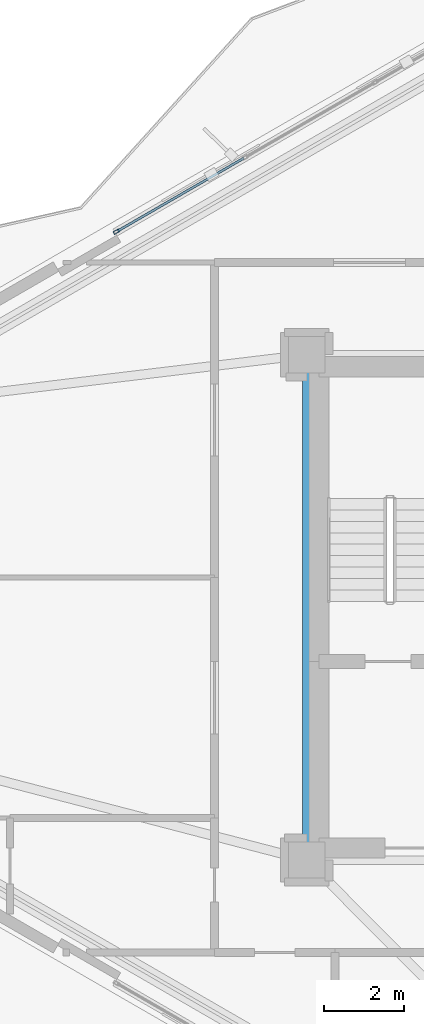
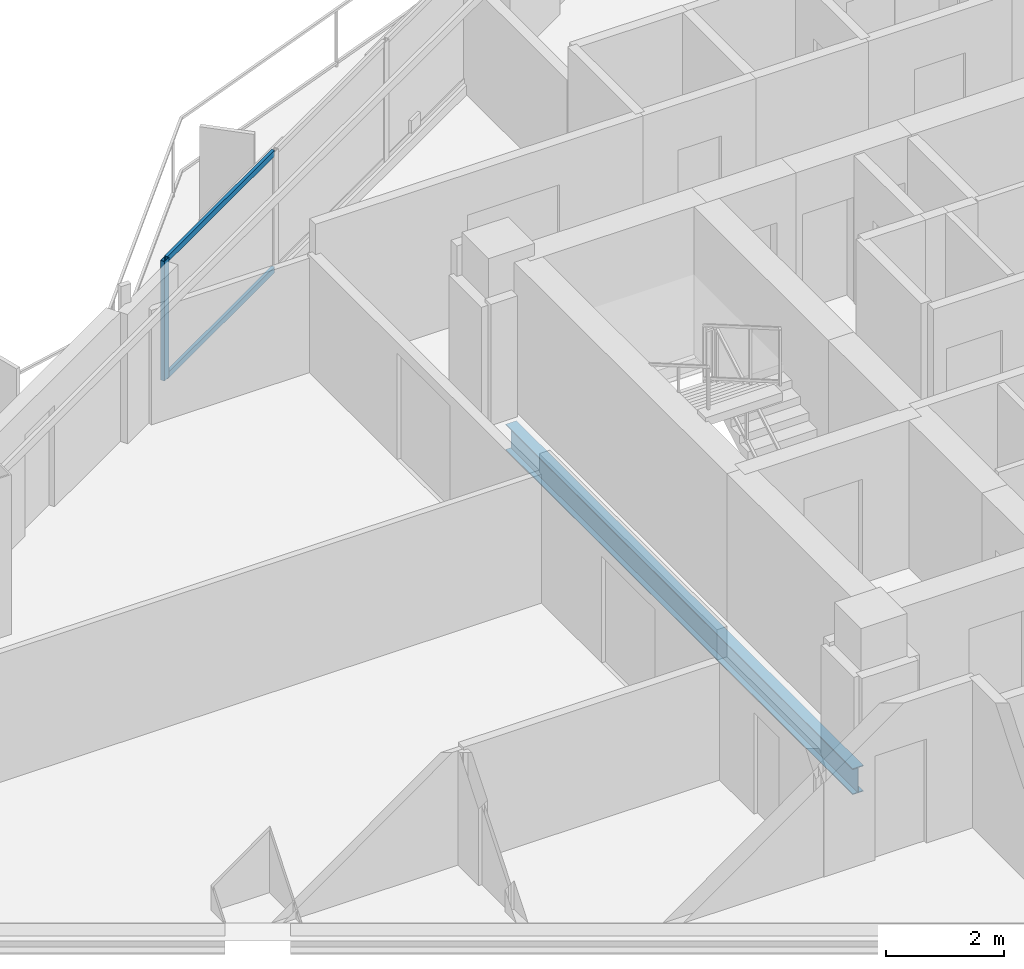
# One storey, part 6 of 22: 3 members, 1 beam, 1 element without a shape of its own.
"""IFC4 building model written with IfcOpenShell, lengths in metres."""

from ifc_helpers import new_model, si_unit, direction, frame, origin, origin_2d, place, context, subcontext, project, spatial, hollow_rectangle, i_section, extrude, material, layer, layer_set, material_profile, profile_set, type_object, element, aggregate, save


model = new_model("IFC4")

# Units and contexts
model_context = context("Model", 3, precision=1e-05, world=origin(), true_north=direction((0.0, 1.0)))
body_context = subcontext(model_context, "Body", "Model", "MODEL_VIEW")
ifc_project = project(units=[si_unit("LENGTHUNIT", "METRE"), si_unit("AREAUNIT", "SQUARE_METRE"), si_unit("VOLUMEUNIT", "CUBIC_METRE"), si_unit("PLANEANGLEUNIT", "RADIAN"), si_unit("MASSUNIT", "GRAM", prefix="KILO")], contexts=[model_context])

# Site, building, storey
site_placement = place(None, origin())
site = spatial("IfcSite", under=ifc_project, at=site_placement, CompositionType="ELEMENT")
building_placement = place(site_placement, origin())
building = spatial("IfcBuilding", under=site, at=building_placement, Name="Mersakhor Tower and Convention Hall", CompositionType="ELEMENT")
storey_placement = place(building_placement, frame((0.0, 0.0, 90.0)))
storey = spatial("IfcBuildingStorey", under=building, at=storey_placement, Name="L24", CompositionType="ELEMENT", Elevation=90.0)

# Beam
ifc_material_1 = material(Name="Steel S355", Category="steel")
ifc_material_profile_1 = material_profile(ifc_material_1, i_section(OverallWidth=0.2099609375, OverallDepth=0.53662109375, WebThickness=0.0107421875, FlangeThickness=0.017333984375, at=origin_2d()), Name="UB 533x210x101")
ifc_profile_set_1 = profile_set([ifc_material_profile_1], Name="Steel S355")
beam_type = type_object("IfcBeamType", Name="BM-FB-533", PredefinedType="BEAM", material=ifc_profile_set_1)
beam_placement = place(storey_placement, frame((21.89990234375, 20.8798828125, -0.518310546875), z_axis=(0.0, 1.0, 0.0), x_axis=(-1.0, 0.0, 0.0)))
element("IfcBeam", 1, at=beam_placement, inside=storey, type_object=beam_type, Name="L24 Core Ring Tie Beam CRB-1", PredefinedType="BEAM", context=body_context, shape_type="SweptSolid", body=[
    extrude(i_section(OverallWidth=0.2099609375, OverallDepth=0.53662109375, WebThickness=0.0107421875, FlangeThickness=0.017333984375, at=origin_2d()), origin(), (0.0, 0.0, 1.0), 11.740234375),
])

# Curtain wall, members
ifc_material_2 = material(Name="Dark solar low-E aluminium curtain wall", Category="aluminium")
ifc_layer = layer(ifc_material_2, 0.159912109375)
ifc_layer_set = layer_set([ifc_layer], Name="Dark solar low-E aluminium curtain wall")
curtain_wall_type = type_object("IfcCurtainWallType", Name="CW-SYS-01", PredefinedType="USERDEFINED", material=ifc_layer_set)
curtain_wall_placement = place(storey_placement, origin())
curtain_wall = element("IfcCurtainWall", 2, at=curtain_wall_placement, inside=storey, type_object=curtain_wall_type, Name="L24 Dark-Glass Curtain Wall F1-B2", ObjectType="CURTAIN WALL", PredefinedType="USERDEFINED")
ifc_material_3 = material(Name="Anodised aluminium EN AW-6063 T6", Category="aluminium")
ifc_material_profile_2 = material_profile(ifc_material_3, hollow_rectangle(XDim=0.074951171875, YDim=0.14990234375, WallThickness=0.00634765625, at=origin_2d()), Name="RHS 150x75x6.3")
ifc_profile_set_2 = profile_set([ifc_material_profile_2], Name="Anodised aluminium EN AW-6063 T6")
member_type_1 = type_object("IfcMemberType", Name="CWM-150x75", PredefinedType="MULLION", material=ifc_profile_set_2)
member_1_placement = place(storey_placement, frame((17.152587890625, 36.11572265625, 0.199951171875), z_axis=(0.0, 0.0, 1.0), x_axis=(-0.499997904985, 0.866026613339, 0.0)))
member_1 = element("IfcMember", 3, at=member_1_placement, type_object=member_type_1, Name="CW-01 mullion 1", PredefinedType="MULLION", context=body_context, shape_type="SweptSolid", body=[
    extrude(hollow_rectangle(XDim=0.074951171875, YDim=0.14990234375, WallThickness=0.00634765625, at=origin_2d()), origin(), (0.0, 0.0, 1.0), 2.469970703125),
])
ifc_material_4 = material(Name="Anodised aluminium EN AW-6063 T6", Category="aluminium")
ifc_material_profile_3 = material_profile(ifc_material_4, hollow_rectangle(XDim=0.06005859375, YDim=0.1201171875, WallThickness=0.0048828125, at=origin_2d()), Name="RHS 120x60x5")
ifc_profile_set_3 = profile_set([ifc_material_profile_3], Name="Anodised aluminium EN AW-6063 T6")
member_type_2 = type_object("IfcMemberType", Name="CWT-120x60", PredefinedType="USERDEFINED", material=ifc_profile_set_3)
member_2_placement = place(storey_placement, frame((17.18505859375, 36.134521484375, 0.22998046875), z_axis=(0.866045614266, 0.499964992784, 0.0), x_axis=(-0.499964992784, 0.866045614266, 0.0)))
member_2 = element("IfcMember", 4, at=member_2_placement, type_object=member_type_2, Name="CW-01 transom 1.1", ObjectType="TRANSOM", PredefinedType="USERDEFINED", context=body_context, shape_type="SweptSolid", body=[
    extrude(hollow_rectangle(XDim=0.06005859375, YDim=0.1201171875, WallThickness=0.0048828125, at=origin_2d()), origin(), (0.0, 0.0, 1.0), 3.630615234375),
])
member_3_placement = place(storey_placement, frame((17.18505859375, 36.134521484375, 2.639892578125), z_axis=(0.866045614266, 0.499964992784, 0.0), x_axis=(-0.499964992784, 0.866045614266, 0.0)))
member_3 = element("IfcMember", 5, at=member_3_placement, type_object=member_type_2, Name="CW-01 transom 1.2", ObjectType="TRANSOM", PredefinedType="USERDEFINED", context=body_context, shape_type="SweptSolid", body=[
    extrude(hollow_rectangle(XDim=0.06005859375, YDim=0.1201171875, WallThickness=0.0048828125, at=origin_2d()), origin(), (0.0, 0.0, 1.0), 3.630615234375),
])
aggregate(curtain_wall, [member_1, member_2, member_3])

save(model, "model.ifc")
